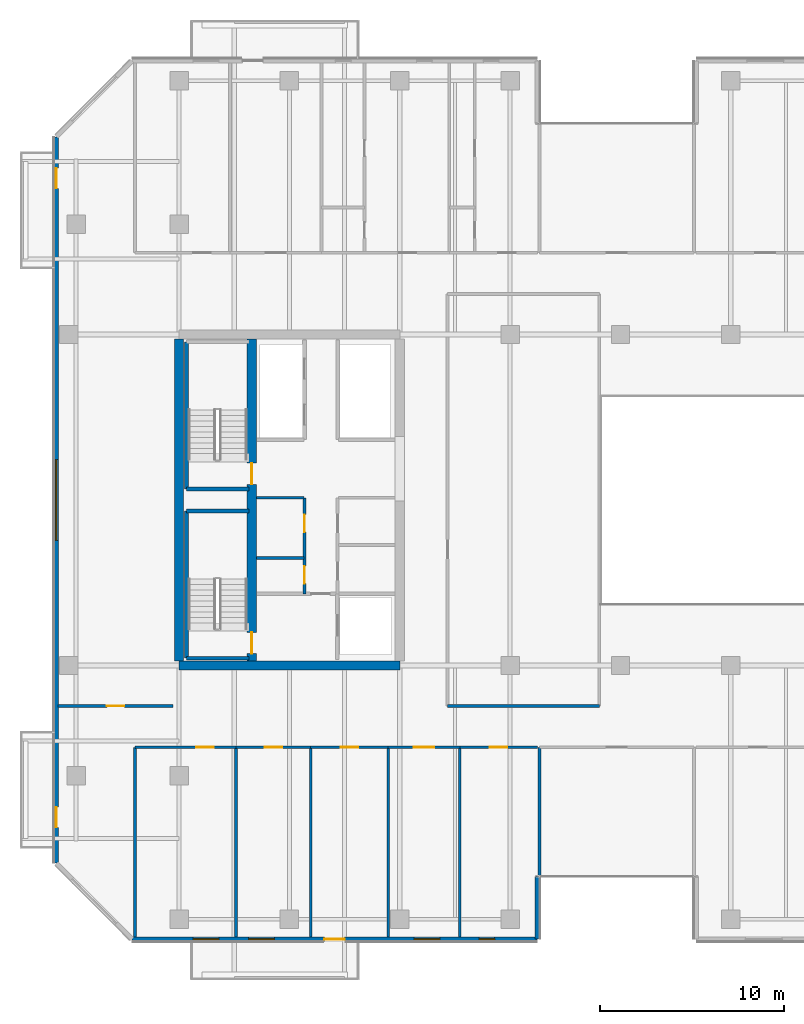
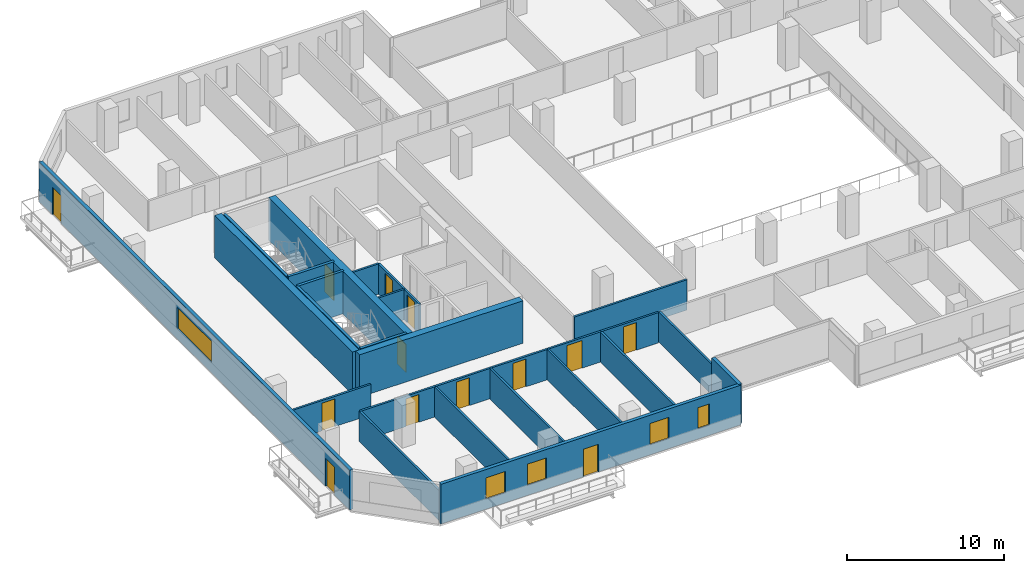
# One storey, part 10 of 23: 27 walls, 13 doors, 5 windows, 18 openings.
"""IFC4 building model written with IfcOpenShell, lengths in metres."""

from ifc_helpers import new_model, si_unit, direction, frame, frame_2d, origin, place, context, subcontext, project, spatial, rectangle, extrude, material, layer, layer_set, type_object, element, fill, save


model = new_model("IFC4")

# Units and contexts
model_context = context("Model", 3, precision=1e-05, world=origin(), true_north=direction((0.0, 1.0)))
body_context = subcontext(model_context, "Body", "Model", "MODEL_VIEW")
ifc_project = project(units=[si_unit("LENGTHUNIT", "METRE"), si_unit("AREAUNIT", "SQUARE_METRE"), si_unit("VOLUMEUNIT", "CUBIC_METRE"), si_unit("PLANEANGLEUNIT", "RADIAN"), si_unit("MASSUNIT", "GRAM", prefix="KILO")], contexts=[model_context])

# Site, building, storey
site_placement = place(None, origin())
site = spatial("IfcSite", under=ifc_project, at=site_placement, CompositionType="ELEMENT")
building_placement = place(site_placement, origin())
building = spatial("IfcBuilding", under=site, at=building_placement, Name="Tanjung Sevakor Pilgrim Tower", CompositionType="ELEMENT")
storey_placement = place(building_placement, frame((0.0, 0.0, 101.969970703125)))
storey = spatial("IfcBuildingStorey", under=building, at=storey_placement, Name="L28", CompositionType="ELEMENT", Elevation=101.969970703125)

# Walls
ifc_material_1 = material(Name="Concrete C60/75", Category="concrete")
ifc_layer_1 = layer(ifc_material_1, 0.5)
ifc_layer_set_1 = layer_set([ifc_layer_1], Name="WALL-CW-500")
wall_type_1 = type_object("IfcWallType", Name="WALL-CW-500", PredefinedType="SHEAR", material=ifc_layer_set_1)
wall_1_placement = place(storey_placement, frame((24.0, 24.60009765625, 0.0), z_axis=(0.0, 0.0, 1.0), x_axis=(1.0, 0.0, 0.0)))
element("IfcWall", 1, at=wall_1_placement, inside=storey, type_object=wall_type_1, Name="L28 W Core South Shear Wall", PredefinedType="SHEAR", context=body_context, shape_type="SweptSolid", body=[
    extrude(rectangle(XDim=12.0, YDim=0.5, at=frame_2d((6.0, 0.0))), origin(), (0.0, 0.0, 1.0), 3.300048828125),
])
wall_2_placement = place(storey_placement, frame((24.0, 24.85009765625, 0.0), z_axis=(0.0, 0.0, 1.0), x_axis=(0.0, 1.0, 0.0)))
element("IfcWall", 2, at=wall_2_placement, inside=storey, type_object=wall_type_1, Name="L28 W Core Outer Shear Wall", PredefinedType="SHEAR", context=body_context, shape_type="SweptSolid", body=[
    extrude(rectangle(XDim=17.5, YDim=0.5, at=frame_2d((8.75, 0.0))), origin(), (0.0, 0.0, 1.0), 3.300048828125),
])

# Wall, openings, doors
wall_3_placement = place(storey_placement, frame((27.949951171875, 24.85009765625, 0.0), z_axis=(0.0, 0.0, 1.0), x_axis=(0.0, 1.0, 0.0)))
wall_3 = element("IfcWall", 3, at=wall_3_placement, inside=storey, type_object=wall_type_1, Name="L28 W Core Stair Spine Wall", PredefinedType="SHEAR", context=body_context, shape_type="SweptSolid", body=[
    extrude(rectangle(XDim=17.5, YDim=0.5, at=frame_2d((8.75, 0.0))), origin(), (0.0, 0.0, 1.0), 3.300048828125),
])
opening_1_placement = place(wall_3_placement, frame((0.39990234375, 0.0, 0.0)))
opening_1 = element("IfcOpeningElement", 4, at=opening_1_placement, cuts=wall_3, Name="Opening ID-ST1", PredefinedType="OPENING", context=body_context, shape_type="SweptSolid", body=[
    extrude(rectangle(XDim=1.14990234375, YDim=2.14990234375, at=frame_2d((0.574951171875, 1.074951171875))), frame((0.0, 0.260009765625, 0.0), z_axis=(0.0, -1.0, 0.0), x_axis=(1.0, 0.0, 0.0)), (0.0, 0.0, 1.0), 0.52001953125),
])
opening_2_placement = place(wall_3_placement, frame((9.60009765625, 0.0, 0.0)))
opening_2 = element("IfcOpeningElement", 5, at=opening_2_placement, cuts=wall_3, Name="Opening ID-ST1", PredefinedType="OPENING", context=body_context, shape_type="SweptSolid", body=[
    extrude(rectangle(XDim=1.14990234375, YDim=2.14990234375, at=frame_2d((0.574951171875, 1.074951171875))), frame((0.0, 0.260009765625, 0.0), z_axis=(0.0, -1.0, 0.0), x_axis=(1.0, 0.0, 0.0)), (0.0, 0.0, 1.0), 0.52001953125),
])
ifc_material_2 = material(Name="Fire-Rated Steel S355J2", Category="steel")
door_type_1 = type_object("IfcDoorType", Name="DT-FIRE-1150", OperationType="NOTDEFINED", PredefinedType="DOOR", material=ifc_material_2)
door_1_placement = place(opening_1_placement, origin())
door_1 = element("IfcDoor", 6, at=door_1_placement, inside=storey, type_object=door_type_1, Name="L28 TS-W1 Stair Fire Door", OperationType="SINGLE_SWING_LEFT", OverallHeight=2.14990234375, OverallWidth=1.14990234375, PredefinedType="DOOR", context=body_context, shape_type="SweptSolid", body=[
    extrude(rectangle(XDim=1.14990234375, YDim=2.14990234375, at=frame_2d((0.574951171875, 1.074951171875))), frame((0.0, 0.02490234375, 0.0), z_axis=(0.0, -1.0, 0.0), x_axis=(1.0, 0.0, 0.0)), (0.0, 0.0, 1.0), 0.050048828125),
])
fill(opening_1, door_1)
door_2_placement = place(opening_2_placement, origin())
door_2 = element("IfcDoor", 7, at=door_2_placement, inside=storey, type_object=door_type_1, Name="L28 TS-W2 Stair Fire Door", OperationType="SINGLE_SWING_RIGHT", OverallHeight=2.14990234375, OverallWidth=1.14990234375, PredefinedType="DOOR", context=body_context, shape_type="SweptSolid", body=[
    extrude(rectangle(XDim=1.14990234375, YDim=2.14990234375, at=frame_2d((0.574951171875, 1.074951171875))), frame((0.0, 0.02490234375, 0.0), z_axis=(0.0, -1.0, 0.0), x_axis=(1.0, 0.0, 0.0)), (0.0, 0.0, 1.0), 0.050048828125),
])
fill(opening_2, door_2)

# Walls
ifc_material_3 = material(Name="Concrete C40/50", Category="concrete")
ifc_layer_2 = layer(ifc_material_3, 0.14990234375)
ifc_layer_set_2 = layer_set([ifc_layer_2], Name="WT-COMP-150")
wall_type_2 = type_object("IfcWallType", Name="WT-COMP-150", PredefinedType="SOLIDWALL", material=ifc_layer_set_2)
for number, where, z_axis, x_axis, name in (
    (8, (28.219970703125, 30.449951171875, 0.0), (0.0, 0.0, 1.0), (1.0, 0.0, 0.0), "L28 Partition IW-L28-003"),
    (9, (28.219970703125, 33.719970703125, 0.0), (0.0, 0.0, 1.0), (1.0, 0.0, 0.0), "L28 Partition IW-L28-004"),
):
    element("IfcWall", number, at=place(storey_placement, frame(where, z_axis=z_axis, x_axis=x_axis)), inside=storey, type_object=wall_type_2, Name=name, PredefinedType="SOLIDWALL", context=body_context, shape_type="SweptSolid", body=[
        extrude(rectangle(XDim=2.580078125, YDim=0.14990234375, at=frame_2d((1.2900390625, 0.0))), origin(), (0.0, 0.0, 1.0), 2.35009765625),
    ])

# Wall, openings, doors
wall_4_placement = place(storey_placement, frame((30.820068359375, 28.5, 0.0), z_axis=(0.0, 0.0, 1.0), x_axis=(0.0, 1.0, 0.0)))
wall_4 = element("IfcWall", 10, at=wall_4_placement, inside=storey, type_object=wall_type_2, Name="L28 Partition IW-L28-005", PredefinedType="SOLIDWALL", context=body_context, shape_type="SweptSolid", body=[
    extrude(rectangle(XDim=5.219970703125, YDim=0.14990234375, at=frame_2d((2.60986328125, 0.0))), origin(), (0.0, 0.0, 1.0), 2.35009765625),
])
opening_3_placement = place(wall_4_placement, frame((0.550048828125, 0.0, 0.0)))
opening_3 = element("IfcOpeningElement", 11, at=opening_3_placement, cuts=wall_4, Name="Opening ID-FD2", PredefinedType="OPENING", context=body_context, shape_type="SweptSolid", body=[
    extrude(rectangle(XDim=0.949951171875, YDim=2.14990234375, at=frame_2d((0.47509765625, 1.074951171875))), frame((0.0, 0.0849609375, 0.0), z_axis=(0.0, -1.0, 0.0), x_axis=(1.0, 0.0, 0.0)), (0.0, 0.0, 1.0), 0.169921875),
])
opening_4_placement = place(wall_4_placement, frame((3.35009765625, 0.0, 0.0)))
opening_4 = element("IfcOpeningElement", 12, at=opening_4_placement, cuts=wall_4, Name="Opening ID-FD2", PredefinedType="OPENING", context=body_context, shape_type="SweptSolid", body=[
    extrude(rectangle(XDim=0.949951171875, YDim=2.14990234375, at=frame_2d((0.47509765625, 1.074951171875))), frame((0.0, 0.0849609375, 0.0), z_axis=(0.0, -1.0, 0.0), x_axis=(1.0, 0.0, 0.0)), (0.0, 0.0, 1.0), 0.169921875),
])
ifc_material_4 = material(Name="Fire-Rated Timber", Category="wood")
door_type_2 = type_object("IfcDoorType", Name="DT-FIRE-950", OperationType="NOTDEFINED", PredefinedType="DOOR", material=ifc_material_4)
door_3_placement = place(opening_3_placement, origin())
door_3 = element("IfcDoor", 13, at=door_3_placement, inside=storey, type_object=door_type_2, Name="L28 Cleaner Store Door", OperationType="SINGLE_SWING_RIGHT", OverallHeight=2.14990234375, OverallWidth=0.949951171875, PredefinedType="DOOR", context=body_context, shape_type="SweptSolid", body=[
    extrude(rectangle(XDim=0.949951171875, YDim=2.14990234375, at=frame_2d((0.47509765625, 1.074951171875))), frame((0.0, 0.02490234375, 0.0), z_axis=(0.0, -1.0, 0.0), x_axis=(1.0, 0.0, 0.0)), (0.0, 0.0, 1.0), 0.050048828125),
])
fill(opening_3, door_3)
door_4_placement = place(opening_4_placement, origin())
door_4 = element("IfcDoor", 14, at=door_4_placement, inside=storey, type_object=door_type_2, Name="L28 Housekeeping Pantry Door", OperationType="SINGLE_SWING_LEFT", OverallHeight=2.14990234375, OverallWidth=0.949951171875, PredefinedType="DOOR", context=body_context, shape_type="SweptSolid", body=[
    extrude(rectangle(XDim=0.949951171875, YDim=2.14990234375, at=frame_2d((0.47509765625, 1.074951171875))), frame((0.0, 0.02490234375, 0.0), z_axis=(0.0, -1.0, 0.0), x_axis=(1.0, 0.0, 0.0)), (0.0, 0.0, 1.0), 0.050048828125),
])
fill(opening_4, door_4)

# Wall
wall_5_placement = place(storey_placement, frame((38.60009765625, 22.39990234375, 0.0), z_axis=(0.0, 0.0, 1.0), x_axis=(1.0, 0.0, 0.0)))
element("IfcWall", 15, at=wall_5_placement, inside=storey, type_object=wall_type_2, Name="L28 Partition IW-L28-025", PredefinedType="SOLIDWALL", context=body_context, shape_type="SweptSolid", body=[
    extrude(rectangle(XDim=8.25, YDim=0.14990234375, at=frame_2d((4.125, 0.0))), origin(), (0.0, 0.0, 1.0), 2.35009765625),
])

# Wall, opening, door
wall_6_placement = place(storey_placement, frame((17.409912109375, 22.39990234375, 0.0), z_axis=(0.0, 0.0, 1.0), x_axis=(1.0, 0.0, 0.0)))
wall_6 = element("IfcWall", 16, at=wall_6_placement, inside=storey, type_object=wall_type_2, Name="L28 Partition IW-L28-033", PredefinedType="SOLIDWALL", context=body_context, shape_type="SweptSolid", body=[
    extrude(rectangle(XDim=6.27001953125, YDim=0.14990234375, at=frame_2d((3.135009765625, 0.0))), origin(), (0.0, 0.0, 1.0), 2.35009765625),
])
opening_5_placement = place(wall_6_placement, frame((2.659912109375, 0.0, 0.0)))
opening_5 = element("IfcOpeningElement", 17, at=opening_5_placement, cuts=wall_6, Name="Opening ID-FD2", PredefinedType="OPENING", context=body_context, shape_type="SweptSolid", body=[
    extrude(rectangle(XDim=0.949951171875, YDim=2.14990234375, at=frame_2d((0.47509765625, 1.074951171875))), frame((0.0, 0.0849609375, 0.0), z_axis=(0.0, -1.0, 0.0), x_axis=(1.0, 0.0, 0.0)), (0.0, 0.0, 1.0), 0.169921875),
])
door_5_placement = place(opening_5_placement, origin())
door_5 = element("IfcDoor", 18, at=door_5_placement, inside=storey, type_object=door_type_2, Name="Study Room Entrance", OperationType="SINGLE_SWING_RIGHT", OverallHeight=2.14990234375, OverallWidth=0.949951171875, PredefinedType="DOOR", context=body_context, shape_type="SweptSolid", body=[
    extrude(rectangle(XDim=0.949951171875, YDim=2.14990234375, at=frame_2d((0.47509765625, 1.074951171875))), frame((0.0, 0.02490234375, 0.0), z_axis=(0.0, -1.0, 0.0), x_axis=(1.0, 0.0, 0.0)), (0.0, 0.0, 1.0), 0.050048828125),
])
fill(opening_5, door_5)

# Walls
for number, where, z_axis, x_axis, name in (
    (19, (43.60009765625, 9.85009765625, 0.0), (0.0, 0.0, 1.0), (0.0, 1.0, 0.0), "L28 Partition IW-L28-042"),
    (20, (21.60009765625, 9.85009765625, 0.0), (0.0, 0.0, 1.0), (0.0, 1.0, 0.0), "L28 Partition IW-L28-047"),
    (21, (27.099365234375, 9.85009765625, 0.0), (0.0, 0.0, 1.0), (0.0, 1.0, 0.0), "L28 Partition IW-L28-048"),
):
    element("IfcWall", number, at=place(storey_placement, frame(where, z_axis=z_axis, x_axis=x_axis)), inside=storey, type_object=wall_type_2, Name=name, PredefinedType="SOLIDWALL", context=body_context, shape_type="SweptSolid", body=[
        extrude(rectangle(XDim=10.2998046875, YDim=0.14990234375, at=frame_2d((5.14990234375, 0.0))), origin(), (0.0, 0.0, 1.0), 2.35009765625),
    ])

# Wall, opening, door
wall_7_placement = place(storey_placement, frame((21.60009765625, 20.14990234375, 0.0), z_axis=(0.0, 0.0, 1.0), x_axis=(1.0, 0.0, 0.0)))
wall_7 = element("IfcWall", 22, at=wall_7_placement, inside=storey, type_object=wall_type_2, Name="L28 Partition IW-L28-049", PredefinedType="SOLIDWALL", context=body_context, shape_type="SweptSolid", body=[
    extrude(rectangle(XDim=5.499267578125, YDim=0.14990234375, at=frame_2d((2.74951171875, 0.0))), origin(), (0.0, 0.0, 1.0), 2.35009765625),
])
opening_6_placement = place(wall_7_placement, frame((3.32470703125, 0.0, 0.0)))
opening_6 = element("IfcOpeningElement", 23, at=opening_6_placement, cuts=wall_7, Name="Opening ID-FD2", PredefinedType="OPENING", context=body_context, shape_type="SweptSolid", body=[
    extrude(rectangle(XDim=0.949951171875, YDim=2.14990234375, at=frame_2d((0.47509765625, 1.074951171875))), frame((0.0, 0.0849609375, 0.0), z_axis=(0.0, -1.0, 0.0), x_axis=(1.0, 0.0, 0.0)), (0.0, 0.0, 1.0), 0.169921875),
])
door_6_placement = place(opening_6_placement, origin())
door_6 = element("IfcDoor", 24, at=door_6_placement, inside=storey, type_object=door_type_2, Name="Study Room Entrance", OperationType="SINGLE_SWING_RIGHT", OverallHeight=2.14990234375, OverallWidth=0.949951171875, PredefinedType="DOOR", context=body_context, shape_type="SweptSolid", body=[
    extrude(rectangle(XDim=0.949951171875, YDim=2.14990234375, at=frame_2d((0.47509765625, 1.074951171875))), frame((0.0, 0.02490234375, 0.0), z_axis=(0.0, -1.0, 0.0), x_axis=(1.0, 0.0, 0.0)), (0.0, 0.0, 1.0), 0.050048828125),
])
fill(opening_6, door_6)

# Wall
wall_8_placement = place(storey_placement, frame((31.155517578125, 9.85009765625, 0.0), z_axis=(0.0, 0.0, 1.0), x_axis=(0.0, 1.0, 0.0)))
element("IfcWall", 25, at=wall_8_placement, inside=storey, type_object=wall_type_2, Name="L28 Partition IW-L28-050", PredefinedType="SOLIDWALL", context=body_context, shape_type="SweptSolid", body=[
    extrude(rectangle(XDim=10.2998046875, YDim=0.14990234375, at=frame_2d((5.14990234375, 0.0))), origin(), (0.0, 0.0, 1.0), 2.35009765625),
])

# Wall, opening, door
wall_9_placement = place(storey_placement, frame((27.099365234375, 20.14990234375, 0.0), z_axis=(0.0, 0.0, 1.0), x_axis=(1.0, 0.0, 0.0)))
wall_9 = element("IfcWall", 26, at=wall_9_placement, inside=storey, type_object=wall_type_2, Name="L28 Partition IW-L28-051", PredefinedType="SOLIDWALL", context=body_context, shape_type="SweptSolid", body=[
    extrude(rectangle(XDim=4.05615234375, YDim=0.14990234375, at=frame_2d((2.028076171875, 0.0))), origin(), (0.0, 0.0, 1.0), 2.35009765625),
])
opening_7_placement = place(wall_9_placement, frame((1.552978515625, 0.0, 0.0)))
opening_7 = element("IfcOpeningElement", 27, at=opening_7_placement, cuts=wall_9, Name="Opening ID-FD2", PredefinedType="OPENING", context=body_context, shape_type="SweptSolid", body=[
    extrude(rectangle(XDim=0.949951171875, YDim=2.14990234375, at=frame_2d((0.47509765625, 1.074951171875))), frame((0.0, 0.0849609375, 0.0), z_axis=(0.0, -1.0, 0.0), x_axis=(1.0, 0.0, 0.0)), (0.0, 0.0, 1.0), 0.169921875),
])
door_7_placement = place(opening_7_placement, origin())
door_7 = element("IfcDoor", 28, at=door_7_placement, inside=storey, type_object=door_type_2, Name="Study Room Entrance", OperationType="SINGLE_SWING_LEFT", OverallHeight=2.14990234375, OverallWidth=0.949951171875, PredefinedType="DOOR", context=body_context, shape_type="SweptSolid", body=[
    extrude(rectangle(XDim=0.949951171875, YDim=2.14990234375, at=frame_2d((0.47509765625, 1.074951171875))), frame((0.0, 0.02490234375, 0.0), z_axis=(0.0, -1.0, 0.0), x_axis=(1.0, 0.0, 0.0)), (0.0, 0.0, 1.0), 0.050048828125),
])
fill(opening_7, door_7)

# Wall
wall_10_placement = place(storey_placement, frame((35.36767578125, 9.85009765625, 0.0), z_axis=(0.0, 0.0, 1.0), x_axis=(0.0, 1.0, 0.0)))
element("IfcWall", 29, at=wall_10_placement, inside=storey, type_object=wall_type_2, Name="L28 Partition IW-L28-052", PredefinedType="SOLIDWALL", context=body_context, shape_type="SweptSolid", body=[
    extrude(rectangle(XDim=10.2998046875, YDim=0.14990234375, at=frame_2d((5.14990234375, 0.0))), origin(), (0.0, 0.0, 1.0), 2.35009765625),
])

# Wall, opening, door
wall_11_placement = place(storey_placement, frame((31.155517578125, 20.14990234375, 0.0), z_axis=(0.0, 0.0, 1.0), x_axis=(1.0, 0.0, 0.0)))
wall_11 = element("IfcWall", 30, at=wall_11_placement, inside=storey, type_object=wall_type_2, Name="L28 Partition IW-L28-053", PredefinedType="SOLIDWALL", context=body_context, shape_type="SweptSolid", body=[
    extrude(rectangle(XDim=4.212158203125, YDim=0.14990234375, at=frame_2d((2.10595703125, 0.0))), origin(), (0.0, 0.0, 1.0), 2.35009765625),
])
opening_8_placement = place(wall_11_placement, frame((1.631103515625, 0.0, 0.0)))
opening_8 = element("IfcOpeningElement", 31, at=opening_8_placement, cuts=wall_11, Name="Opening ID-FD2", PredefinedType="OPENING", context=body_context, shape_type="SweptSolid", body=[
    extrude(rectangle(XDim=0.949951171875, YDim=2.14990234375, at=frame_2d((0.47509765625, 1.074951171875))), frame((0.0, 0.0849609375, 0.0), z_axis=(0.0, -1.0, 0.0), x_axis=(1.0, 0.0, 0.0)), (0.0, 0.0, 1.0), 0.169921875),
])
door_8_placement = place(opening_8_placement, origin())
door_8 = element("IfcDoor", 32, at=door_8_placement, inside=storey, type_object=door_type_2, Name="Study Room Entrance", OperationType="SINGLE_SWING_RIGHT", OverallHeight=2.14990234375, OverallWidth=0.949951171875, PredefinedType="DOOR", context=body_context, shape_type="SweptSolid", body=[
    extrude(rectangle(XDim=0.949951171875, YDim=2.14990234375, at=frame_2d((0.47509765625, 1.074951171875))), frame((0.0, 0.02490234375, 0.0), z_axis=(0.0, -1.0, 0.0), x_axis=(1.0, 0.0, 0.0)), (0.0, 0.0, 1.0), 0.050048828125),
])
fill(opening_8, door_8)

# Wall
wall_12_placement = place(storey_placement, frame((39.267822265625, 9.85009765625, 0.0), z_axis=(0.0, 0.0, 1.0), x_axis=(0.0, 1.0, 0.0)))
element("IfcWall", 33, at=wall_12_placement, inside=storey, type_object=wall_type_2, Name="L28 Partition IW-L28-054", PredefinedType="SOLIDWALL", context=body_context, shape_type="SweptSolid", body=[
    extrude(rectangle(XDim=10.2998046875, YDim=0.14990234375, at=frame_2d((5.14990234375, 0.0))), origin(), (0.0, 0.0, 1.0), 2.35009765625),
])

# Wall, opening, door
wall_13_placement = place(storey_placement, frame((35.36767578125, 20.14990234375, 0.0), z_axis=(0.0, 0.0, 1.0), x_axis=(1.0, 0.0, 0.0)))
wall_13 = element("IfcWall", 34, at=wall_13_placement, inside=storey, type_object=wall_type_2, Name="L28 Partition IW-L28-055", PredefinedType="SOLIDWALL", context=body_context, shape_type="SweptSolid", body=[
    extrude(rectangle(XDim=3.900146484375, YDim=0.14990234375, at=frame_2d((1.9501953125, 0.0))), origin(), (0.0, 0.0, 1.0), 2.35009765625),
])
opening_9_placement = place(wall_13_placement, frame((1.400146484375, 0.0, 0.0)))
opening_9 = element("IfcOpeningElement", 35, at=opening_9_placement, cuts=wall_13, Name="Opening ID-FD0", PredefinedType="OPENING", context=body_context, shape_type="SweptSolid", body=[
    extrude(rectangle(XDim=1.10009765625, YDim=2.14990234375, at=frame_2d((0.550048828125, 1.074951171875))), frame((0.0, 0.0849609375, 0.0), z_axis=(0.0, -1.0, 0.0), x_axis=(1.0, 0.0, 0.0)), (0.0, 0.0, 1.0), 0.169921875),
])
ifc_material_5 = material(Name="Fire-Rated Steel S355J2", Category="steel")
door_type_3 = type_object("IfcDoorType", Name="DT-FIRE-1100", OperationType="NOTDEFINED", PredefinedType="DOOR", material=ifc_material_5)
door_9_placement = place(opening_9_placement, origin())
door_9 = element("IfcDoor", 36, at=door_9_placement, inside=storey, type_object=door_type_3, Name="Communal Lounge Door", OperationType="SINGLE_SWING_LEFT", OverallHeight=2.14990234375, OverallWidth=1.10009765625, PredefinedType="DOOR", context=body_context, shape_type="SweptSolid", body=[
    extrude(rectangle(XDim=1.10009765625, YDim=2.14990234375, at=frame_2d((0.550048828125, 1.074951171875))), frame((0.0, 0.02490234375, 0.0), z_axis=(0.0, -1.0, 0.0), x_axis=(1.0, 0.0, 0.0)), (0.0, 0.0, 1.0), 0.050048828125),
])
fill(opening_9, door_9)

wall_14_placement = place(storey_placement, frame((39.267822265625, 20.14990234375, 0.0), z_axis=(0.0, 0.0, 1.0), x_axis=(1.0, 0.0, 0.0)))
wall_14 = element("IfcWall", 37, at=wall_14_placement, inside=storey, type_object=wall_type_2, Name="L28 Partition IW-L28-056", PredefinedType="SOLIDWALL", context=body_context, shape_type="SweptSolid", body=[
    extrude(rectangle(XDim=4.212158203125, YDim=0.14990234375, at=frame_2d((2.10595703125, 0.0))), origin(), (0.0, 0.0, 1.0), 2.35009765625),
])
opening_10_placement = place(wall_14_placement, frame((1.631103515625, 0.0, 0.0)))
opening_10 = element("IfcOpeningElement", 38, at=opening_10_placement, cuts=wall_14, Name="Opening ID-FD2", PredefinedType="OPENING", context=body_context, shape_type="SweptSolid", body=[
    extrude(rectangle(XDim=0.949951171875, YDim=2.14990234375, at=frame_2d((0.47509765625, 1.074951171875))), frame((0.0, 0.0849609375, 0.0), z_axis=(0.0, -1.0, 0.0), x_axis=(1.0, 0.0, 0.0)), (0.0, 0.0, 1.0), 0.169921875),
])
door_10_placement = place(opening_10_placement, origin())
door_10 = element("IfcDoor", 39, at=door_10_placement, inside=storey, type_object=door_type_2, Name="Study Room Entrance", OperationType="SINGLE_SWING_RIGHT", OverallHeight=2.14990234375, OverallWidth=0.949951171875, PredefinedType="DOOR", context=body_context, shape_type="SweptSolid", body=[
    extrude(rectangle(XDim=0.949951171875, YDim=2.14990234375, at=frame_2d((0.47509765625, 1.074951171875))), frame((0.0, 0.02490234375, 0.0), z_axis=(0.0, -1.0, 0.0), x_axis=(1.0, 0.0, 0.0)), (0.0, 0.0, 1.0), 0.050048828125),
])
fill(opening_10, door_10)

# Wall, openings, door, windows
ifc_material_6 = material(Name="Precast concrete C45/55", Category="concrete")
ifc_layer_3 = layer(ifc_material_6, 0.25)
ifc_layer_set_3 = layer_set([ifc_layer_3], Name="WT-EW-STN3")
wall_type_3 = type_object("IfcWallType", Name="WT-EW-STN3", PredefinedType="SOLIDWALL", material=ifc_layer_set_3)
wall_15_placement = place(storey_placement, frame((21.451904296875, 9.72509765625, 0.0), z_axis=(0.0, 0.0, 1.0), x_axis=(1.0, 0.0, 0.0)))
wall_15 = element("IfcWall", 40, at=wall_15_placement, inside=storey, type_object=wall_type_3, Name="L28 MAIN Exterior Wall 1", PredefinedType="SOLIDWALL", context=body_context, shape_type="SweptSolid", body=[
    extrude(rectangle(XDim=22.023193359375, YDim=0.25, at=frame_2d((11.01171875, 0.0))), origin(), (0.0, 0.0, 1.0), 3.080078125),
])
opening_11_placement = place(wall_15_placement, frame((10.4482421875, 0.0, 0.0)))
opening_11 = element("IfcOpeningElement", 41, at=opening_11_placement, cuts=wall_15, Name="Opening ED-BAL-1100", PredefinedType="OPENING", context=body_context, shape_type="SweptSolid", body=[
    extrude(rectangle(XDim=1.10009765625, YDim=2.14990234375, at=frame_2d((0.550048828125, 1.074951171875))), frame((0.0, 0.135009765625, 0.0), z_axis=(0.0, -1.0, 0.0), x_axis=(1.0, 0.0, 0.0)), (0.0, 0.0, 1.0), 0.27001953125),
])
opening_12_placement = place(wall_15_placement, frame((3.31787109375, 0.0, 0.780029296875)))
opening_12 = element("IfcOpeningElement", 42, at=opening_12_placement, cuts=wall_15, Name="Opening WN-END", PredefinedType="OPENING", context=body_context, shape_type="SweptSolid", body=[
    extrude(rectangle(XDim=1.39990234375, YDim=1.64990234375, at=frame_2d((0.699951171875, 0.824951171875))), frame((0.0, 0.135009765625, 0.0), z_axis=(0.0, -1.0, 0.0), x_axis=(1.0, 0.0, 0.0)), (0.0, 0.0, 1.0), 0.27001953125),
])
opening_13_placement = place(wall_15_placement, frame((6.335693359375, 0.0, 0.780029296875)))
opening_13 = element("IfcOpeningElement", 43, at=opening_13_placement, cuts=wall_15, Name="Opening WN-END", PredefinedType="OPENING", context=body_context, shape_type="SweptSolid", body=[
    extrude(rectangle(XDim=1.39990234375, YDim=1.64990234375, at=frame_2d((0.699951171875, 0.824951171875))), frame((0.0, 0.135009765625, 0.0), z_axis=(0.0, -1.0, 0.0), x_axis=(1.0, 0.0, 0.0)), (0.0, 0.0, 1.0), 0.27001953125),
])
opening_14_placement = place(wall_15_placement, frame((15.325927734375, 0.0, 0.780029296875)))
opening_14 = element("IfcOpeningElement", 44, at=opening_14_placement, cuts=wall_15, Name="Opening WN-END", PredefinedType="OPENING", context=body_context, shape_type="SweptSolid", body=[
    extrude(rectangle(XDim=1.39990234375, YDim=1.64990234375, at=frame_2d((0.699951171875, 0.824951171875))), frame((0.0, 0.135009765625, 0.0), z_axis=(0.0, -1.0, 0.0), x_axis=(1.0, 0.0, 0.0)), (0.0, 0.0, 1.0), 0.27001953125),
])
opening_15_placement = place(wall_15_placement, frame((18.857177734375, 0.0, 0.780029296875)))
opening_15 = element("IfcOpeningElement", 45, at=opening_15_placement, cuts=wall_15, Name="Opening WN-SLM", PredefinedType="OPENING", context=body_context, shape_type="SweptSolid", body=[
    extrude(rectangle(XDim=0.85009765625, YDim=1.64990234375, at=frame_2d((0.425048828125, 0.824951171875))), frame((0.0, 0.135009765625, 0.0), z_axis=(0.0, -1.0, 0.0), x_axis=(1.0, 0.0, 0.0)), (0.0, 0.0, 1.0), 0.27001953125),
])
ifc_material_7 = material(Name="Anodised Aluminium and Laminated Glass", Category="aluminium")
door_type_4 = type_object("IfcDoorType", Name="DTYP-ED-BAL-1100", OperationType="NOTDEFINED", PredefinedType="DOOR", material=ifc_material_7)
door_11_placement = place(opening_11_placement, frame((1.10009765625, 0.0, 0.0), z_axis=(0.0, 0.0, 1.0), x_axis=(-1.0, 0.0, 0.0)))
door_11 = element("IfcDoor", 46, at=door_11_placement, inside=storey, type_object=door_type_4, Name="L28 Balcony Door MAIN-S1", OperationType="SINGLE_SWING_RIGHT", OverallHeight=2.14990234375, OverallWidth=1.10009765625, PredefinedType="DOOR", context=body_context, shape_type="SweptSolid", body=[
    extrude(rectangle(XDim=1.10009765625, YDim=2.14990234375, at=frame_2d((0.550048828125, 1.074951171875))), frame((0.0, 0.02490234375, 0.0), z_axis=(0.0, -1.0, 0.0), x_axis=(1.0, 0.0, 0.0)), (0.0, 0.0, 1.0), 0.050048828125),
])
fill(opening_11, door_11)
ifc_material_8 = material(Name="Thermally Broken Aluminium and Low-E Glass", Category="aluminium")
window_type_1 = type_object("IfcWindowType", Name="WTYP-WN-END", PartitioningType="SINGLE_PANEL", PredefinedType="WINDOW", material=ifc_material_8)
window_1_placement = place(opening_12_placement, origin())
window_1 = element("IfcWindow", 47, at=window_1_placement, inside=storey, type_object=window_type_1, Name="L28 Facade Window 01", OverallHeight=1.64990234375, OverallWidth=1.39990234375, PartitioningType="SINGLE_PANEL", PredefinedType="WINDOW", context=body_context, shape_type="SweptSolid", body=[
    extrude(rectangle(XDim=1.39990234375, YDim=1.64990234375, at=frame_2d((0.699951171875, 0.824951171875))), frame((0.0, 0.030029296875, 0.0), z_axis=(0.0, -1.0, 0.0), x_axis=(1.0, 0.0, 0.0)), (0.0, 0.0, 1.0), 0.06005859375),
])
fill(opening_12, window_1)
window_2_placement = place(opening_13_placement, origin())
window_2 = element("IfcWindow", 48, at=window_2_placement, inside=storey, type_object=window_type_1, Name="L28 Facade Window 02", OverallHeight=1.64990234375, OverallWidth=1.39990234375, PartitioningType="SINGLE_PANEL", PredefinedType="WINDOW", context=body_context, shape_type="SweptSolid", body=[
    extrude(rectangle(XDim=1.39990234375, YDim=1.64990234375, at=frame_2d((0.699951171875, 0.824951171875))), frame((0.0, 0.030029296875, 0.0), z_axis=(0.0, -1.0, 0.0), x_axis=(1.0, 0.0, 0.0)), (0.0, 0.0, 1.0), 0.06005859375),
])
fill(opening_13, window_2)
window_3_placement = place(opening_14_placement, origin())
window_3 = element("IfcWindow", 49, at=window_3_placement, inside=storey, type_object=window_type_1, Name="L28 Facade Window 03", OverallHeight=1.64990234375, OverallWidth=1.39990234375, PartitioningType="SINGLE_PANEL", PredefinedType="WINDOW", context=body_context, shape_type="SweptSolid", body=[
    extrude(rectangle(XDim=1.39990234375, YDim=1.64990234375, at=frame_2d((0.699951171875, 0.824951171875))), frame((0.0, 0.030029296875, 0.0), z_axis=(0.0, -1.0, 0.0), x_axis=(1.0, 0.0, 0.0)), (0.0, 0.0, 1.0), 0.06005859375),
])
fill(opening_14, window_3)
ifc_material_9 = material(Name="Thermally Broken Aluminium and Low-E Glass", Category="aluminium")
window_type_2 = type_object("IfcWindowType", Name="WTYP-WN-SLM", PartitioningType="SINGLE_PANEL", PredefinedType="WINDOW", material=ifc_material_9)
window_4_placement = place(opening_15_placement, origin())
window_4 = element("IfcWindow", 50, at=window_4_placement, inside=storey, type_object=window_type_2, Name="L28 Facade Window 04", OverallHeight=1.64990234375, OverallWidth=0.85009765625, PartitioningType="SINGLE_PANEL", PredefinedType="WINDOW", context=body_context, shape_type="SweptSolid", body=[
    extrude(rectangle(XDim=0.85009765625, YDim=1.64990234375, at=frame_2d((0.425048828125, 0.824951171875))), frame((0.0, 0.030029296875, 0.0), z_axis=(0.0, -1.0, 0.0), x_axis=(1.0, 0.0, 0.0)), (0.0, 0.0, 1.0), 0.06005859375),
])
fill(opening_15, window_4)

# Wall
wall_16_placement = place(storey_placement, frame((43.47509765625, 9.72509765625, 0.0), z_axis=(0.0, 0.0, 1.0), x_axis=(0.0, 1.0, 0.0)))
element("IfcWall", 51, at=wall_16_placement, inside=storey, type_object=wall_type_3, Name="L28 MAIN Exterior Wall 2", PredefinedType="SOLIDWALL", context=body_context, shape_type="SweptSolid", body=[
    extrude(rectangle(XDim=3.39990234375, YDim=0.25, at=frame_2d((1.699951171875, 0.0))), origin(), (0.0, 0.0, 1.0), 3.080078125),
])

# Wall, openings, doors, window
wall_17_placement = place(storey_placement, frame((17.324951171875, 53.34814453125, 0.0), z_axis=(0.0, 0.0, 1.0), x_axis=(0.0, -1.0, 0.0)))
wall_17 = element("IfcWall", 52, at=wall_17_placement, inside=storey, type_object=wall_type_3, Name="L28 MAIN Exterior Wall 15", PredefinedType="SOLIDWALL", context=body_context, shape_type="SweptSolid", body=[
    extrude(rectangle(XDim=39.496337890625, YDim=0.25, at=frame_2d((19.748046875, 0.0))), origin(), (0.0, 0.0, 1.0), 3.080078125),
])
opening_16_placement = place(wall_17_placement, frame((36.4482421875, 0.0, 0.0)))
opening_16 = element("IfcOpeningElement", 53, at=opening_16_placement, cuts=wall_17, Name="Opening ED-BAL-1100", PredefinedType="OPENING", context=body_context, shape_type="SweptSolid", body=[
    extrude(rectangle(XDim=1.10009765625, YDim=2.14990234375, at=frame_2d((0.550048828125, 1.074951171875))), frame((0.0, 0.135009765625, 0.0), z_axis=(0.0, -1.0, 0.0), x_axis=(1.0, 0.0, 0.0)), (0.0, 0.0, 1.0), 0.27001953125),
])
opening_17_placement = place(wall_17_placement, frame((1.6982421875, 0.0, 0.0)))
opening_17 = element("IfcOpeningElement", 54, at=opening_17_placement, cuts=wall_17, Name="Opening ED-BAL-1100", PredefinedType="OPENING", context=body_context, shape_type="SweptSolid", body=[
    extrude(rectangle(XDim=1.10009765625, YDim=2.14990234375, at=frame_2d((0.550048828125, 1.074951171875))), frame((0.0, 0.135009765625, 0.0), z_axis=(0.0, -1.0, 0.0), x_axis=(1.0, 0.0, 0.0)), (0.0, 0.0, 1.0), 0.27001953125),
])
opening_18_placement = place(wall_17_placement, frame((17.548095703125, 0.0, 0.780029296875)))
opening_18 = element("IfcOpeningElement", 55, at=opening_18_placement, cuts=wall_17, Name="Opening WN-ENDW-1660", PredefinedType="OPENING", context=body_context, shape_type="SweptSolid", body=[
    extrude(rectangle(XDim=4.39990234375, YDim=1.659912109375, at=frame_2d((2.199951171875, 0.830078125))), frame((0.0, 0.135009765625, 0.0), z_axis=(0.0, -1.0, 0.0), x_axis=(1.0, 0.0, 0.0)), (0.0, 0.0, 1.0), 0.27001953125),
])
door_12_placement = place(opening_16_placement, frame((1.10009765625, 0.0, 0.0), z_axis=(0.0, 0.0, 1.0), x_axis=(-1.0, 0.0, 0.0)))
door_12 = element("IfcDoor", 56, at=door_12_placement, inside=storey, type_object=door_type_4, Name="L28 West Loggia Door MAIN-W1", OperationType="SINGLE_SWING_RIGHT", OverallHeight=2.14990234375, OverallWidth=1.10009765625, PredefinedType="DOOR", context=body_context, shape_type="SweptSolid", body=[
    extrude(rectangle(XDim=1.10009765625, YDim=2.14990234375, at=frame_2d((0.550048828125, 1.074951171875))), frame((0.0, 0.02490234375, 0.0), z_axis=(0.0, -1.0, 0.0), x_axis=(1.0, 0.0, 0.0)), (0.0, 0.0, 1.0), 0.050048828125),
])
fill(opening_16, door_12)
door_13_placement = place(opening_17_placement, frame((1.10009765625, 0.0, 0.0), z_axis=(0.0, 0.0, 1.0), x_axis=(-1.0, 0.0, 0.0)))
door_13 = element("IfcDoor", 57, at=door_13_placement, inside=storey, type_object=door_type_4, Name="L28 West Loggia Door MAIN-W2", OperationType="SINGLE_SWING_LEFT", OverallHeight=2.14990234375, OverallWidth=1.10009765625, PredefinedType="DOOR", context=body_context, shape_type="SweptSolid", body=[
    extrude(rectangle(XDim=1.10009765625, YDim=2.14990234375, at=frame_2d((0.550048828125, 1.074951171875))), frame((0.0, 0.02490234375, 0.0), z_axis=(0.0, -1.0, 0.0), x_axis=(1.0, 0.0, 0.0)), (0.0, 0.0, 1.0), 0.050048828125),
])
fill(opening_17, door_13)
ifc_material_10 = material(Name="Thermally Broken Aluminium and Low-E Glass", Category="aluminium")
window_type_3 = type_object("IfcWindowType", Name="WTYP-WN-ENDW-1660", PartitioningType="DOUBLE_PANEL_VERTICAL", PredefinedType="WINDOW", material=ifc_material_10)
window_5_placement = place(opening_18_placement, origin())
window_5 = element("IfcWindow", 58, at=window_5_placement, inside=storey, type_object=window_type_3, Name="L28 Facade Window 01", OverallHeight=1.659912109375, OverallWidth=4.39990234375, PartitioningType="SINGLE_PANEL", PredefinedType="WINDOW", context=body_context, shape_type="SweptSolid", body=[
    extrude(rectangle(XDim=4.39990234375, YDim=1.659912109375, at=frame_2d((2.199951171875, 0.830078125))), frame((0.0, 0.030029296875, 0.0), z_axis=(0.0, -1.0, 0.0), x_axis=(1.0, 0.0, 0.0)), (0.0, 0.0, 1.0), 0.06005859375),
])
fill(opening_18, window_5)

# Walls
ifc_material_11 = material(Name="Concrete C40/50", Category="concrete")
ifc_layer_4 = layer(ifc_material_11, 0.199951171875)
ifc_layer_set_4 = layer_set([ifc_layer_4], Name="WT-FIRE-200")
wall_type_4 = type_object("IfcWallType", Name="WT-FIRE-200", PredefinedType="SOLIDWALL", material=ifc_layer_set_4)
for number, where, z_axis, x_axis, name in (
    (59, (24.39990234375, 25.0, 0.0), (0.0, 0.0, 1.0), (1.0, 0.0, 0.0), "L28 TS-W1 Shaft Wall 1"),
    (60, (27.800048828125, 33.0, 0.0), (0.0, 0.0, 1.0), (-1.0, 0.0, 0.0), "L28 TS-W1 Shaft Wall 2"),
):
    element("IfcWall", number, at=place(storey_placement, frame(where, z_axis=z_axis, x_axis=x_axis)), inside=storey, type_object=wall_type_4, Name=name, PredefinedType="SOLIDWALL", context=body_context, shape_type="SweptSolid", body=[
        extrude(rectangle(XDim=3.400146484375, YDim=0.199951171875, at=frame_2d((1.7001953125, 0.0))), origin(), (0.0, 0.0, 1.0), 3.300048828125),
    ])
wall_18_placement = place(storey_placement, frame((24.39990234375, 33.0, 0.0), z_axis=(0.0, 0.0, 1.0), x_axis=(0.0, -1.0, 0.0)))
element("IfcWall", 61, at=wall_18_placement, inside=storey, type_object=wall_type_4, Name="L28 TS-W1 Shaft Wall 3", PredefinedType="SOLIDWALL", context=body_context, shape_type="SweptSolid", body=[
    extrude(rectangle(XDim=8.0, YDim=0.199951171875, at=frame_2d((4.0, 0.0))), origin(), (0.0, 0.0, 1.0), 3.300048828125),
])
wall_19_placement = place(storey_placement, frame((24.39990234375, 34.199951171875, 0.0), z_axis=(0.0, 0.0, 1.0), x_axis=(1.0, 0.0, 0.0)))
element("IfcWall", 62, at=wall_19_placement, inside=storey, type_object=wall_type_4, Name="L28 TS-W2 Shaft Wall 1", PredefinedType="SOLIDWALL", context=body_context, shape_type="SweptSolid", body=[
    extrude(rectangle(XDim=3.400146484375, YDim=0.199951171875, at=frame_2d((1.7001953125, 0.0))), origin(), (0.0, 0.0, 1.0), 3.300048828125),
])
wall_20_placement = place(storey_placement, frame((24.39990234375, 42.199951171875, 0.0), z_axis=(0.0, 0.0, 1.0), x_axis=(0.0, -1.0, 0.0)))
element("IfcWall", 63, at=wall_20_placement, inside=storey, type_object=wall_type_4, Name="L28 TS-W2 Shaft Wall 3", PredefinedType="SOLIDWALL", context=body_context, shape_type="SweptSolid", body=[
    extrude(rectangle(XDim=8.0, YDim=0.199951171875, at=frame_2d((4.0, 0.0))), origin(), (0.0, 0.0, 1.0), 3.300048828125),
])

save(model, "model.ifc")
